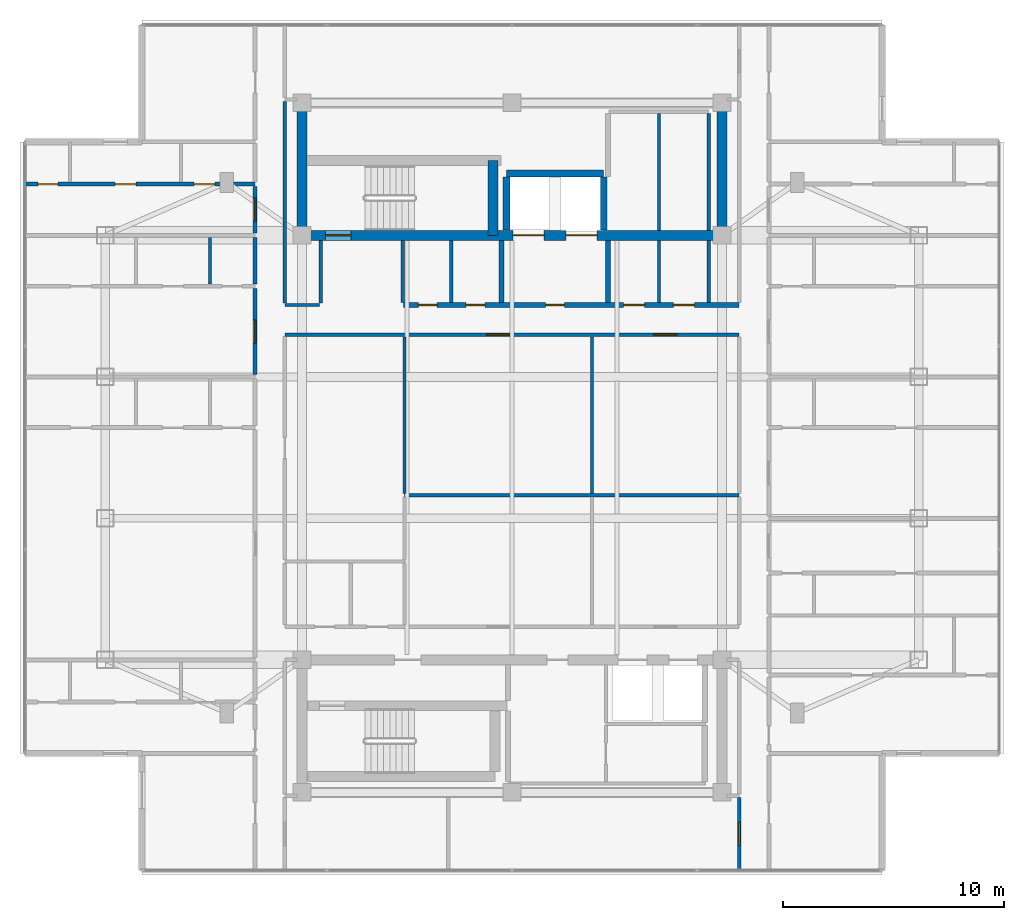
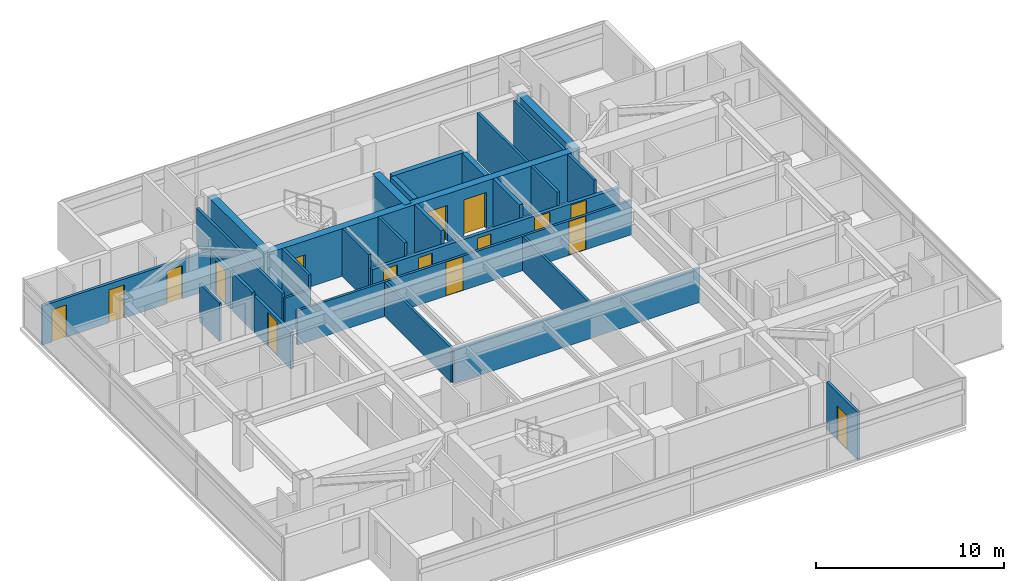
# One storey, part 9 of 14: 29 walls, 16 doors, 16 openings.
"""IFC4 building model written with IfcOpenShell, lengths in metres."""

from ifc_helpers import new_model, si_unit, direction, frame, frame_2d, origin, place, context, subcontext, project, spatial, rectangle, extrude, material, layer, layer_set, type_object, element, fill, save


model = new_model("IFC4")

# Units and contexts
model_context = context("Model", 3, precision=1e-05, world=origin(), true_north=direction((0.0, 1.0)))
body_context = subcontext(model_context, "Body", "Model", "MODEL_VIEW")
ifc_project = project(units=[si_unit("LENGTHUNIT", "METRE"), si_unit("AREAUNIT", "SQUARE_METRE"), si_unit("VOLUMEUNIT", "CUBIC_METRE"), si_unit("PLANEANGLEUNIT", "RADIAN"), si_unit("MASSUNIT", "GRAM", prefix="KILO")], contexts=[model_context])

# Site, building, storey
site_placement = place(None, origin())
site = spatial("IfcSite", under=ifc_project, at=site_placement, CompositionType="ELEMENT")
building_placement = place(site_placement, origin())
building = spatial("IfcBuilding", under=site, at=building_placement, Name="Mirazonda Arch Towers", CompositionType="ELEMENT")
storey_placement = place(building_placement, frame((0.0, 0.0, 242.5)))
storey = spatial("IfcBuildingStorey", under=building, at=storey_placement, Name="L69", CompositionType="ELEMENT", Elevation=242.5)

# Walls
ifc_material_1 = material(Name="Concrete C50/60", Category="concrete")
ifc_layer_1 = layer(ifc_material_1, 0.449951171875, Name="WALL-CORE-450")
ifc_layer_set_1 = layer_set([ifc_layer_1], Name="Concrete C50/60")
wall_type_1 = type_object("IfcWallType", Name="WALL-CORE-450", PredefinedType="SHEAR", material=ifc_layer_set_1)
for number, where, z_axis, x_axis, name in (
    (1, (11.0, 37.60009765625, 0.0), (0.0, 0.0, 1.0), (0.0, 1.0, 0.0), "L69 T1N-W Core Shear Wall"),
    (2, (30.0, 37.60009765625, 0.0), (0.0, 0.0, 1.0), (0.0, 1.0, 0.0), "L69 T1N-E Core Shear Wall"),
):
    element("IfcWall", number, at=place(storey_placement, frame(where, z_axis=z_axis, x_axis=x_axis)), inside=storey, type_object=wall_type_1, Name=name, PredefinedType="SHEAR", context=body_context, shape_type="SweptSolid", body=[
        extrude(rectangle(XDim=6.0, YDim=0.449951171875, at=frame_2d((3.0, 0.0))), origin(), (0.0, 0.0, 1.0), 3.10009765625),
    ])

# Wall, openings, doors
wall_1_placement = place(storey_placement, frame((11.0, 37.60009765625, 0.0), z_axis=(0.0, 0.0, 1.0), x_axis=(1.0, 0.0, 0.0)))
wall_1 = element("IfcWall", 3, at=wall_1_placement, inside=storey, type_object=wall_type_1, Name="L69 T1N-S Core Shear Wall", PredefinedType="SHEAR", context=body_context, shape_type="SweptSolid", body=[
    extrude(rectangle(XDim=19.0, YDim=0.449951171875, at=frame_2d((9.5, 0.0))), origin(), (0.0, 0.0, 1.0), 3.10009765625),
])
opening_1_placement = place(wall_1_placement, frame((1.06005859375, 0.0, 0.0)))
opening_1 = element("IfcOpeningElement", 4, at=opening_1_placement, cuts=wall_1, Name="Opening DR-135", PredefinedType="OPENING", context=body_context, shape_type="SweptSolid", body=[
    extrude(rectangle(XDim=1.14990234375, YDim=2.199951171875, at=frame_2d((0.574951171875, 1.10009765625))), frame((0.0, 0.23486328125, 0.0), z_axis=(0.0, -1.0, 0.0), x_axis=(1.0, 0.0, 0.0)), (0.0, 0.0, 1.0), 0.469970703125),
])
opening_2_placement = place(wall_1_placement, frame((9.550048828125, 0.0, 0.0)))
opening_2 = element("IfcOpeningElement", 5, at=opening_2_placement, cuts=wall_1, Name="Opening LD-112", PredefinedType="OPENING", context=body_context, shape_type="SweptSolid", body=[
    extrude(rectangle(XDim=1.39990234375, YDim=2.35009765625, at=frame_2d((0.699951171875, 1.175048828125))), frame((0.0, 0.23486328125, 0.0), z_axis=(0.0, -1.0, 0.0), x_axis=(1.0, 0.0, 0.0)), (0.0, 0.0, 1.0), 0.469970703125),
])
opening_3_placement = place(wall_1_placement, frame((11.949951171875, 0.0, 0.0)))
opening_3 = element("IfcOpeningElement", 6, at=opening_3_placement, cuts=wall_1, Name="Opening LD-112", PredefinedType="OPENING", context=body_context, shape_type="SweptSolid", body=[
    extrude(rectangle(XDim=1.39990234375, YDim=2.35009765625, at=frame_2d((0.699951171875, 1.175048828125))), frame((0.0, 0.23486328125, 0.0), z_axis=(0.0, -1.0, 0.0), x_axis=(1.0, 0.0, 0.0)), (0.0, 0.0, 1.0), 0.469970703125),
])
ifc_material_2 = material(Name="Architectural Brushed Steel S355", Category="steel")
door_type_1 = type_object("IfcDoorType", Name="DOOR-LIFT-FFL-1400", OperationType="NOTDEFINED", PredefinedType="DOOR", material=ifc_material_2)
door_1_placement = place(opening_2_placement, origin())
door_1 = element("IfcDoor", 7, at=door_1_placement, inside=storey, type_object=door_type_1, Name="L69 Lift Landing Sliding Door FFL-T1", OperationType="DOUBLE_DOOR_SLIDING", OverallHeight=2.35009765625, OverallWidth=1.39990234375, PredefinedType="DOOR", context=body_context, shape_type="SweptSolid", body=[
    extrude(rectangle(XDim=1.39990234375, YDim=2.35009765625, at=frame_2d((0.699951171875, 1.175048828125))), frame((0.0, 0.02490234375, 0.0), z_axis=(0.0, -1.0, 0.0), x_axis=(1.0, 0.0, 0.0)), (0.0, 0.0, 1.0), 0.050048828125),
])
fill(opening_2, door_1)
door_2_placement = place(opening_3_placement, origin())
door_2 = element("IfcDoor", 8, at=door_2_placement, inside=storey, type_object=door_type_1, Name="L69 Lift Landing Sliding Door SVL-T1", OperationType="DOUBLE_DOOR_SLIDING", OverallHeight=2.35009765625, OverallWidth=1.39990234375, PredefinedType="DOOR", context=body_context, shape_type="SweptSolid", body=[
    extrude(rectangle(XDim=1.39990234375, YDim=2.35009765625, at=frame_2d((0.699951171875, 1.175048828125))), frame((0.0, 0.02490234375, 0.0), z_axis=(0.0, -1.0, 0.0), x_axis=(1.0, 0.0, 0.0)), (0.0, 0.0, 1.0), 0.050048828125),
])
fill(opening_3, door_2)
door_type_2 = type_object("IfcDoorType", Name="DOOR-STAIR-FD90-1150", OperationType="NOTDEFINED", PredefinedType="DOOR", material=ifc_material_2)
door_3_placement = place(opening_1_placement, origin())
door_3 = element("IfcDoor", 9, at=door_3_placement, inside=storey, type_object=door_type_2, Name="L69 Protected Exit Stair North Door", OperationType="SINGLE_SWING_LEFT", OverallHeight=2.199951171875, OverallWidth=1.14990234375, PredefinedType="DOOR", context=body_context, shape_type="SweptSolid", body=[
    extrude(rectangle(XDim=1.14990234375, YDim=2.199951171875, at=frame_2d((0.574951171875, 1.10009765625))), frame((0.0, 0.02490234375, 0.0), z_axis=(0.0, -1.0, 0.0), x_axis=(1.0, 0.0, 0.0)), (0.0, 0.0, 1.0), 0.050048828125),
])
fill(opening_1, door_3)

# Wall
wall_2_placement = place(storey_placement, frame((19.64990234375, 37.60009765625, 0.0), z_axis=(0.0, 0.0, 1.0), x_axis=(0.0, 1.0, 0.0)))
element("IfcWall", 10, at=wall_2_placement, inside=storey, type_object=wall_type_1, Name="L69 T1N-STE Core Shear Wall", PredefinedType="SHEAR", context=body_context, shape_type="SweptSolid", body=[
    extrude(rectangle(XDim=3.392822265625, YDim=0.449951171875, at=frame_2d((1.6962890625, 0.0))), origin(), (0.0, 0.0, 1.0), 3.10009765625),
])

# Wall, openings, doors
ifc_material_3 = material(Name="Concrete C40/50", Category="concrete")
ifc_layer_2 = layer(ifc_material_3, 0.219970703125, Name="WALL-FFL-220")
ifc_layer_set_2 = layer_set([ifc_layer_2], Name="Concrete C40/50")
wall_type_2 = type_object("IfcWallType", Name="WALL-FFL-220", PredefinedType="SOLIDWALL", material=ifc_layer_set_2)
wall_3_placement = place(storey_placement, frame((15.590087890625, 34.449951171875, 0.0), z_axis=(0.0, 0.0, 1.0), x_axis=(1.0, 0.0, 0.0)))
wall_3 = element("IfcWall", 11, at=wall_3_placement, inside=storey, type_object=wall_type_2, Name="L69 Interior Partition 026", PredefinedType="SOLIDWALL", context=body_context, shape_type="SweptSolid", body=[
    extrude(rectangle(XDim=15.18994140625, YDim=0.219970703125, at=frame_2d((7.594970703125, 0.0))), origin(), (0.0, 0.0, 1.0), 2.236083984375),
])
opening_4_placement = place(wall_3_placement, frame((6.43505859375, 0.0, 0.0)))
opening_4 = element("IfcOpeningElement", 12, at=opening_4_placement, cuts=wall_3, Name="Opening DR-128", PredefinedType="OPENING", context=body_context, shape_type="SweptSolid", body=[
    extrude(rectangle(XDim=0.85009765625, YDim=2.010009765625, at=frame_2d((0.425048828125, 1.0048828125))), frame((0.0, 0.119873046875, 0.0), z_axis=(0.0, -1.0, 0.0), x_axis=(1.0, 0.0, 0.0)), (0.0, 0.0, 1.0), 0.239990234375),
])
opening_5_placement = place(wall_3_placement, frame((9.9599609375, 0.0, 0.0)))
opening_5 = element("IfcOpeningElement", 13, at=opening_5_placement, cuts=wall_3, Name="Opening DR-104", PredefinedType="OPENING", context=body_context, shape_type="SweptSolid", body=[
    extrude(rectangle(XDim=0.949951171875, YDim=2.14990234375, at=frame_2d((0.47509765625, 1.074951171875))), frame((0.0, 0.119873046875, 0.0), z_axis=(0.0, -1.0, 0.0), x_axis=(1.0, 0.0, 0.0)), (0.0, 0.0, 1.0), 0.239990234375),
])
opening_6_placement = place(wall_3_placement, frame((12.2099609375, 0.0, 0.0)))
opening_6 = element("IfcOpeningElement", 14, at=opening_6_placement, cuts=wall_3, Name="Opening DR-104", PredefinedType="OPENING", context=body_context, shape_type="SweptSolid", body=[
    extrude(rectangle(XDim=0.949951171875, YDim=2.14990234375, at=frame_2d((0.47509765625, 1.074951171875))), frame((0.0, 0.119873046875, 0.0), z_axis=(0.0, -1.0, 0.0), x_axis=(1.0, 0.0, 0.0)), (0.0, 0.0, 1.0), 0.239990234375),
])
opening_7_placement = place(wall_3_placement, frame((0.675048828125, 0.0, 0.0)))
opening_7 = element("IfcOpeningElement", 15, at=opening_7_placement, cuts=wall_3, Name="Opening DR-128", PredefinedType="OPENING", context=body_context, shape_type="SweptSolid", body=[
    extrude(rectangle(XDim=0.85009765625, YDim=2.010009765625, at=frame_2d((0.425048828125, 1.0048828125))), frame((0.0, 0.119873046875, 0.0), z_axis=(0.0, -1.0, 0.0), x_axis=(1.0, 0.0, 0.0)), (0.0, 0.0, 1.0), 0.239990234375),
])
opening_8_placement = place(wall_3_placement, frame((2.8349609375, 0.0, 0.0)))
opening_8 = element("IfcOpeningElement", 16, at=opening_8_placement, cuts=wall_3, Name="Opening DR-128", PredefinedType="OPENING", context=body_context, shape_type="SweptSolid", body=[
    extrude(rectangle(XDim=0.85009765625, YDim=2.010009765625, at=frame_2d((0.425048828125, 1.0048828125))), frame((0.0, 0.119873046875, 0.0), z_axis=(0.0, -1.0, 0.0), x_axis=(1.0, 0.0, 0.0)), (0.0, 0.0, 1.0), 0.239990234375),
])
door_type_3 = type_object("IfcDoorType", Name="DOOR-RISER-FD60-850", OperationType="NOTDEFINED", PredefinedType="DOOR", material=ifc_material_2)
door_4_placement = place(opening_4_placement, origin())
door_4 = element("IfcDoor", 17, at=door_4_placement, inside=storey, type_object=door_type_3, Name="L69 Firefighting Lift Lobby Door", OperationType="SINGLE_SWING_RIGHT", OverallHeight=2.010009765625, OverallWidth=0.85009765625, PredefinedType="DOOR", context=body_context, shape_type="SweptSolid", body=[
    extrude(rectangle(XDim=0.85009765625, YDim=2.010009765625, at=frame_2d((0.425048828125, 1.0048828125))), frame((0.0, 0.02490234375, 0.0), z_axis=(0.0, -1.0, 0.0), x_axis=(1.0, 0.0, 0.0)), (0.0, 0.0, 1.0), 0.050048828125),
])
fill(opening_4, door_4)
door_5_placement = place(opening_7_placement, origin())
door_5 = element("IfcDoor", 18, at=door_5_placement, inside=storey, type_object=door_type_3, Name="L69 Electrical Room Door", OperationType="SINGLE_SWING_LEFT", OverallHeight=2.010009765625, OverallWidth=0.85009765625, PredefinedType="DOOR", context=body_context, shape_type="SweptSolid", body=[
    extrude(rectangle(XDim=0.85009765625, YDim=2.010009765625, at=frame_2d((0.425048828125, 1.0048828125))), frame((0.0, 0.02490234375, 0.0), z_axis=(0.0, -1.0, 0.0), x_axis=(1.0, 0.0, 0.0)), (0.0, 0.0, 1.0), 0.050048828125),
])
fill(opening_7, door_5)
door_6_placement = place(opening_8_placement, origin())
door_6 = element("IfcDoor", 19, at=door_6_placement, inside=storey, type_object=door_type_3, Name="L69 Cleaners & Housekeeping Store Door", OperationType="SINGLE_SWING_RIGHT", OverallHeight=2.010009765625, OverallWidth=0.85009765625, PredefinedType="DOOR", context=body_context, shape_type="SweptSolid", body=[
    extrude(rectangle(XDim=0.85009765625, YDim=2.010009765625, at=frame_2d((0.425048828125, 1.0048828125))), frame((0.0, 0.02490234375, 0.0), z_axis=(0.0, -1.0, 0.0), x_axis=(1.0, 0.0, 0.0)), (0.0, 0.0, 1.0), 0.050048828125),
])
fill(opening_8, door_6)
door_type_4 = type_object("IfcDoorType", Name="DOOR-ROOM-950", OperationType="NOTDEFINED", PredefinedType="DOOR", material=ifc_material_2)
door_7_placement = place(opening_5_placement, origin())
door_7 = element("IfcDoor", 20, at=door_7_placement, inside=storey, type_object=door_type_4, Name="L69 Residents Private Art Gallery Door", OperationType="SINGLE_SWING_LEFT", OverallHeight=2.14990234375, OverallWidth=0.949951171875, PredefinedType="DOOR", context=body_context, shape_type="SweptSolid", body=[
    extrude(rectangle(XDim=0.949951171875, YDim=2.14990234375, at=frame_2d((0.47509765625, 1.074951171875))), frame((0.0, 0.02490234375, 0.0), z_axis=(0.0, -1.0, 0.0), x_axis=(1.0, 0.0, 0.0)), (0.0, 0.0, 1.0), 0.050048828125),
])
fill(opening_5, door_7)
door_8_placement = place(opening_6_placement, origin())
door_8 = element("IfcDoor", 21, at=door_8_placement, inside=storey, type_object=door_type_4, Name="L69 Private Quiet Study Door", OperationType="SINGLE_SWING_RIGHT", OverallHeight=2.14990234375, OverallWidth=0.949951171875, PredefinedType="DOOR", context=body_context, shape_type="SweptSolid", body=[
    extrude(rectangle(XDim=0.949951171875, YDim=2.14990234375, at=frame_2d((0.47509765625, 1.074951171875))), frame((0.0, 0.02490234375, 0.0), z_axis=(0.0, -1.0, 0.0), x_axis=(1.0, 0.0, 0.0)), (0.0, 0.0, 1.0), 0.050048828125),
])
fill(opening_6, door_8)

# Walls
for number, where, z_axis, x_axis, name in (
    (22, (20.02490234375, 34.570068359375, 0.0), (0.0, 0.0, 1.0), (0.0, 1.0, 0.0), "L69 Interior Partition 072"),
    (23, (24.85009765625, 34.570068359375, 0.0), (0.0, 0.0, 1.0), (0.0, 1.0, 0.0), "L69 Interior Partition 081"),
):
    element("IfcWall", number, at=place(storey_placement, frame(where, z_axis=z_axis, x_axis=x_axis)), inside=storey, type_object=wall_type_2, Name=name, PredefinedType="SOLIDWALL", context=body_context, shape_type="SweptSolid", body=[
        extrude(rectangle(XDim=2.809814453125, YDim=0.219970703125, at=frame_2d((1.40478515625, 0.0))), origin(), (0.0, 0.0, 1.0), 3.10009765625),
    ])
ifc_material_4 = material(Name="Fire-Rated Gypsum Stud Partition")
ifc_layer_3 = layer(ifc_material_4, 0.14990234375, Name="WALL-PART-CORR-150")
ifc_layer_set_3 = layer_set([ifc_layer_3], Name="Fire-Rated Gypsum Stud Partition")
wall_type_3 = type_object("IfcWallType", Name="WALL-PART-CORR-150", PredefinedType="PARTITIONING", material=ifc_layer_set_3)
wall_4_placement = place(storey_placement, frame((15.639892578125, 25.840087890625, 0.0), z_axis=(0.0, 0.0, 1.0), x_axis=(1.0, 0.0, 0.0)))
element("IfcWall", 24, at=wall_4_placement, inside=storey, type_object=wall_type_3, Name="L69 Interior Partition 019", PredefinedType="PARTITIONING", context=body_context, shape_type="SweptSolid", body=[
    extrude(rectangle(XDim=15.14013671875, YDim=0.14990234375, at=frame_2d((7.570068359375, 0.0))), origin(), (0.0, 0.0, 1.0), 2.236083984375),
])

# Wall, openings, doors
wall_5_placement = place(storey_placement, frame((10.219970703125, 33.10009765625, 0.0), z_axis=(0.0, 0.0, 1.0), x_axis=(1.0, 0.0, 0.0)))
wall_5 = element("IfcWall", 25, at=wall_5_placement, inside=storey, type_object=wall_type_3, Name="L69 Interior Partition 024", PredefinedType="PARTITIONING", context=body_context, shape_type="SweptSolid", body=[
    extrude(rectangle(XDim=20.56005859375, YDim=0.14990234375, at=frame_2d((10.280029296875, 0.0))), origin(), (0.0, 0.0, 1.0), 2.236083984375),
])
opening_9_placement = place(wall_5_placement, frame((9.134033203125, 0.0, 0.0)))
opening_9 = element("IfcOpeningElement", 26, at=opening_9_placement, cuts=wall_5, Name="Opening DR-121", PredefinedType="OPENING", context=body_context, shape_type="SweptSolid", body=[
    extrude(rectangle(XDim=1.050048828125, YDim=2.199951171875, at=frame_2d((0.52490234375, 1.10009765625))), frame((0.0, 0.0849609375, 0.0), z_axis=(0.0, -1.0, 0.0), x_axis=(1.0, 0.0, 0.0)), (0.0, 0.0, 1.0), 0.169921875),
])
opening_10_placement = place(wall_5_placement, frame((16.68408203125, 0.0, 0.0)))
opening_10 = element("IfcOpeningElement", 27, at=opening_10_placement, cuts=wall_5, Name="Opening DR-121", PredefinedType="OPENING", context=body_context, shape_type="SweptSolid", body=[
    extrude(rectangle(XDim=1.050048828125, YDim=2.199951171875, at=frame_2d((0.52490234375, 1.10009765625))), frame((0.0, 0.0849609375, 0.0), z_axis=(0.0, -1.0, 0.0), x_axis=(1.0, 0.0, 0.0)), (0.0, 0.0, 1.0), 0.169921875),
])
door_type_5 = type_object("IfcDoorType", Name="DOOR-SUITE-FD60-1050", OperationType="NOTDEFINED", PredefinedType="DOOR", material=ifc_material_2)
door_9_placement = place(opening_9_placement, origin())
door_9 = element("IfcDoor", 28, at=door_9_placement, inside=storey, type_object=door_type_5, Name="L69 Private Dining Room Door", OperationType="SINGLE_SWING_LEFT", OverallHeight=2.199951171875, OverallWidth=1.050048828125, PredefinedType="DOOR", context=body_context, shape_type="SweptSolid", body=[
    extrude(rectangle(XDim=1.050048828125, YDim=2.199951171875, at=frame_2d((0.52490234375, 1.10009765625))), frame((0.0, 0.02490234375, 0.0), z_axis=(0.0, -1.0, 0.0), x_axis=(1.0, 0.0, 0.0)), (0.0, 0.0, 1.0), 0.050048828125),
])
fill(opening_9, door_9)
door_10_placement = place(opening_10_placement, origin())
door_10 = element("IfcDoor", 29, at=door_10_placement, inside=storey, type_object=door_type_5, Name="L69 Collectors Gallery Study Door", OperationType="SINGLE_SWING_RIGHT", OverallHeight=2.199951171875, OverallWidth=1.050048828125, PredefinedType="DOOR", context=body_context, shape_type="SweptSolid", body=[
    extrude(rectangle(XDim=1.050048828125, YDim=2.199951171875, at=frame_2d((0.52490234375, 1.10009765625))), frame((0.0, 0.02490234375, 0.0), z_axis=(0.0, -1.0, 0.0), x_axis=(1.0, 0.0, 0.0)), (0.0, 0.0, 1.0), 0.050048828125),
])
fill(opening_10, door_10)

# Walls
wall_6_placement = place(storey_placement, frame((10.219970703125, 34.449951171875, 0.0), z_axis=(0.0, 0.0, 1.0), x_axis=(1.0, 0.0, 0.0)))
element("IfcWall", 30, at=wall_6_placement, inside=storey, type_object=wall_type_3, Name="L69 Interior Partition 025", PredefinedType="PARTITIONING", context=body_context, shape_type="SweptSolid", body=[
    extrude(rectangle(XDim=1.580078125, YDim=0.14990234375, at=frame_2d((0.7900390625, 0.0))), origin(), (0.0, 0.0, 1.0), 2.236083984375),
])
wall_7_placement = place(storey_placement, frame((10.219970703125, 34.534912109375, 0.0), z_axis=(0.0, 0.0, 1.0), x_axis=(0.0, 1.0, 0.0)))
element("IfcWall", 31, at=wall_7_placement, inside=storey, type_object=wall_type_3, Name="L69 Interior Partition 061", PredefinedType="PARTITIONING", context=body_context, shape_type="SweptSolid", body=[
    extrude(rectangle(XDim=9.130126953125, YDim=0.14990234375, at=frame_2d((4.56494140625, 0.0))), origin(), (0.0, 0.0, 1.0), 2.491943359375),
])
wall_8_placement = place(storey_placement, frame((11.85009765625, 34.534912109375, 0.0), z_axis=(0.0, 0.0, 1.0), x_axis=(0.0, 1.0, 0.0)))
element("IfcWall", 32, at=wall_8_placement, inside=storey, type_object=wall_type_3, Name="L69 Interior Partition 063", PredefinedType="PARTITIONING", context=body_context, shape_type="SweptSolid", body=[
    extrude(rectangle(XDim=2.844970703125, YDim=0.14990234375, at=frame_2d((1.42236328125, 0.0))), origin(), (0.0, 0.0, 1.0), 3.10009765625),
])
wall_9_placement = place(storey_placement, frame((15.639892578125, 25.925048828125, 0.0), z_axis=(0.0, 0.0, 1.0), x_axis=(0.0, 1.0, 0.0)))
element("IfcWall", 33, at=wall_9_placement, inside=storey, type_object=wall_type_3, Name="L69 Interior Partition 067", PredefinedType="PARTITIONING", context=body_context, shape_type="SweptSolid", body=[
    extrude(rectangle(XDim=7.08984375, YDim=0.14990234375, at=frame_2d((3.544921875, 0.0))), origin(), (0.0, 0.0, 1.0), 2.236083984375),
])
for number, where, z_axis, x_axis, name in (
    (34, (15.550048828125, 34.570068359375, 0.0), (0.0, 0.0, 1.0), (0.0, 1.0, 0.0), "L69 Interior Partition 068"),
    (35, (17.75, 34.570068359375, 0.0), (0.0, 0.0, 1.0), (0.0, 1.0, 0.0), "L69 Interior Partition 070"),
):
    element("IfcWall", number, at=place(storey_placement, frame(where, z_axis=z_axis, x_axis=x_axis)), inside=storey, type_object=wall_type_3, Name=name, PredefinedType="PARTITIONING", context=body_context, shape_type="SweptSolid", body=[
        extrude(rectangle(XDim=2.809814453125, YDim=0.14990234375, at=frame_2d((1.40478515625, 0.0))), origin(), (0.0, 0.0, 1.0), 3.10009765625),
    ])
wall_10_placement = place(storey_placement, frame((24.117919921875, 25.925048828125, 0.0), z_axis=(0.0, 0.0, 1.0), x_axis=(0.0, 1.0, 0.0)))
element("IfcWall", 36, at=wall_10_placement, inside=storey, type_object=wall_type_3, Name="L69 Interior Partition 077", PredefinedType="PARTITIONING", context=body_context, shape_type="SweptSolid", body=[
    extrude(rectangle(XDim=7.08984375, YDim=0.14990234375, at=frame_2d((3.544921875, 0.0))), origin(), (0.0, 0.0, 1.0), 2.236083984375),
])
wall_11_placement = place(storey_placement, frame((27.14990234375, 34.570068359375, 0.0), z_axis=(0.0, 0.0, 1.0), x_axis=(0.0, 1.0, 0.0)))
element("IfcWall", 37, at=wall_11_placement, inside=storey, type_object=wall_type_3, Name="L69 Interior Partition 083", PredefinedType="PARTITIONING", context=body_context, shape_type="SweptSolid", body=[
    extrude(rectangle(XDim=2.809814453125, YDim=0.14990234375, at=frame_2d((1.40478515625, 0.0))), origin(), (0.0, 0.0, 1.0), 3.10009765625),
])
wall_12_placement = place(storey_placement, frame((27.14990234375, 37.820068359375, 0.0), z_axis=(0.0, 0.0, 1.0), x_axis=(0.0, 1.0, 0.0)))
element("IfcWall", 38, at=wall_12_placement, inside=storey, type_object=wall_type_3, Name="L69 Interior Partition 084", PredefinedType="PARTITIONING", context=body_context, shape_type="SweptSolid", body=[
    extrude(rectangle(XDim=5.294921875, YDim=0.14990234375, at=frame_2d((2.6474609375, 0.0))), origin(), (0.0, 0.0, 1.0), 3.10009765625),
])
wall_13_placement = place(storey_placement, frame((29.39990234375, 34.570068359375, 0.0), z_axis=(0.0, 0.0, 1.0), x_axis=(0.0, 1.0, 0.0)))
element("IfcWall", 39, at=wall_13_placement, inside=storey, type_object=wall_type_3, Name="L69 Interior Partition 087", PredefinedType="PARTITIONING", context=body_context, shape_type="SweptSolid", body=[
    extrude(rectangle(XDim=2.809814453125, YDim=0.14990234375, at=frame_2d((1.40478515625, 0.0))), origin(), (0.0, 0.0, 1.0), 3.10009765625),
])
wall_14_placement = place(storey_placement, frame((29.39990234375, 37.820068359375, 0.0), z_axis=(0.0, 0.0, 1.0), x_axis=(0.0, 1.0, 0.0)))
element("IfcWall", 40, at=wall_14_placement, inside=storey, type_object=wall_type_3, Name="L69 Interior Partition 088", PredefinedType="PARTITIONING", context=body_context, shape_type="SweptSolid", body=[
    extrude(rectangle(XDim=5.294921875, YDim=0.14990234375, at=frame_2d((2.6474609375, 0.0))), origin(), (0.0, 0.0, 1.0), 3.10009765625),
])

# Wall, opening, door
wall_15_placement = place(storey_placement, frame((30.780029296875, 8.8740234375, 0.0), z_axis=(0.0, 0.0, 1.0), x_axis=(0.0, 1.0, 0.0)))
wall_15 = element("IfcWall", 41, at=wall_15_placement, inside=storey, type_object=wall_type_3, Name="L69 Interior Partition 089", PredefinedType="PARTITIONING", context=body_context, shape_type="SweptSolid", body=[
    extrude(rectangle(XDim=3.291015625, YDim=0.14990234375, at=frame_2d((1.6455078125, 0.0))), origin(), (0.0, 0.0, 1.0), 3.10009765625),
])
opening_11_placement = place(wall_15_placement, frame((1.12060546875, 0.0, 0.0)))
opening_11 = element("IfcOpeningElement", 42, at=opening_11_placement, cuts=wall_15, Name="Opening DR-121", PredefinedType="OPENING", context=body_context, shape_type="SweptSolid", body=[
    extrude(rectangle(XDim=1.050048828125, YDim=2.199951171875, at=frame_2d((0.52490234375, 1.10009765625))), frame((0.0, 0.0849609375, 0.0), z_axis=(0.0, -1.0, 0.0), x_axis=(1.0, 0.0, 0.0)), (0.0, 0.0, 1.0), 0.169921875),
])
door_11_placement = place(opening_11_placement, origin())
door_11 = element("IfcDoor", 43, at=door_11_placement, inside=storey, type_object=door_type_5, Name="L69 South Panoramic Study Grand Door", OperationType="SINGLE_SWING_RIGHT", OverallHeight=2.199951171875, OverallWidth=1.050048828125, PredefinedType="DOOR", context=body_context, shape_type="SweptSolid", body=[
    extrude(rectangle(XDim=1.050048828125, YDim=2.199951171875, at=frame_2d((0.52490234375, 1.10009765625))), frame((0.0, 0.02490234375, 0.0), z_axis=(0.0, -1.0, 0.0), x_axis=(1.0, 0.0, 0.0)), (0.0, 0.0, 1.0), 0.050048828125),
])
fill(opening_11, door_11)

# Wall, openings, doors
ifc_material_5 = material(Name="Fire-Rated Gypsum Twin-Stud Assembly")
ifc_layer_4 = layer(ifc_material_5, 0.179931640625, Name="WALL-PART-DEMISE-180")
ifc_layer_set_4 = layer_set([ifc_layer_4], Name="Fire-Rated Gypsum Twin-Stud Assembly")
wall_type_4 = type_object("IfcWallType", Name="WALL-PART-DEMISE-180", PredefinedType="PARTITIONING", material=ifc_layer_set_4)
wall_16_placement = place(storey_placement, frame((-1.5400390625, 39.916015625, 0.0), z_axis=(0.0, 0.0, 1.0), x_axis=(1.0, 0.0, 0.0)))
wall_16 = element("IfcWall", 44, at=wall_16_placement, inside=storey, type_object=wall_type_4, Name="L69 Interior Partition 031", PredefinedType="PARTITIONING", context=body_context, shape_type="SweptSolid", body=[
    extrude(rectangle(XDim=10.419921875, YDim=0.179931640625, at=frame_2d((5.2099609375, 0.0))), origin(), (0.0, 0.0, 1.0), 2.54296875),
])
opening_12_placement = place(wall_16_placement, frame((4.0791015625, 0.0, 0.0)))
opening_12 = element("IfcOpeningElement", 45, at=opening_12_placement, cuts=wall_16, Name="Opening DR-104", PredefinedType="OPENING", context=body_context, shape_type="SweptSolid", body=[
    extrude(rectangle(XDim=0.949951171875, YDim=2.14990234375, at=frame_2d((0.47509765625, 1.074951171875))), frame((0.0, 0.099853515625, 0.0), z_axis=(0.0, -1.0, 0.0), x_axis=(1.0, 0.0, 0.0)), (0.0, 0.0, 1.0), 0.199951171875),
])
opening_13_placement = place(wall_16_placement, frame((7.64892578125, 0.0, 0.0)))
opening_13 = element("IfcOpeningElement", 46, at=opening_13_placement, cuts=wall_16, Name="Opening DR-104", PredefinedType="OPENING", context=body_context, shape_type="SweptSolid", body=[
    extrude(rectangle(XDim=0.949951171875, YDim=2.14990234375, at=frame_2d((0.47509765625, 1.074951171875))), frame((0.0, 0.099853515625, 0.0), z_axis=(0.0, -1.0, 0.0), x_axis=(1.0, 0.0, 0.0)), (0.0, 0.0, 1.0), 0.199951171875),
])
opening_14_placement = place(wall_16_placement, frame((0.590087890625, 0.0, 0.0)))
opening_14 = element("IfcOpeningElement", 47, at=opening_14_placement, cuts=wall_16, Name="Opening DR-120", PredefinedType="OPENING", context=body_context, shape_type="SweptSolid", body=[
    extrude(rectangle(XDim=0.89990234375, YDim=2.10009765625, at=frame_2d((0.449951171875, 1.050048828125))), frame((0.0, 0.099853515625, 0.0), z_axis=(0.0, -1.0, 0.0), x_axis=(1.0, 0.0, 0.0)), (0.0, 0.0, 1.0), 0.199951171875),
])
door_12_placement = place(opening_12_placement, origin())
door_12 = element("IfcDoor", 48, at=door_12_placement, inside=storey, type_object=door_type_4, Name="L69 Residence 4 Principal Bedroom Door", OperationType="SINGLE_SWING_LEFT", OverallHeight=2.14990234375, OverallWidth=0.949951171875, PredefinedType="DOOR", context=body_context, shape_type="SweptSolid", body=[
    extrude(rectangle(XDim=0.949951171875, YDim=2.14990234375, at=frame_2d((0.47509765625, 1.074951171875))), frame((0.0, 0.02490234375, 0.0), z_axis=(0.0, -1.0, 0.0), x_axis=(1.0, 0.0, 0.0)), (0.0, 0.0, 1.0), 0.050048828125),
])
fill(opening_12, door_12)
door_13_placement = place(opening_13_placement, origin())
door_13 = element("IfcDoor", 49, at=door_13_placement, inside=storey, type_object=door_type_4, Name="L69 Residence 4 Fitted Kitchen Door", OperationType="SINGLE_SWING_RIGHT", OverallHeight=2.14990234375, OverallWidth=0.949951171875, PredefinedType="DOOR", context=body_context, shape_type="SweptSolid", body=[
    extrude(rectangle(XDim=0.949951171875, YDim=2.14990234375, at=frame_2d((0.47509765625, 1.074951171875))), frame((0.0, 0.02490234375, 0.0), z_axis=(0.0, -1.0, 0.0), x_axis=(1.0, 0.0, 0.0)), (0.0, 0.0, 1.0), 0.050048828125),
])
fill(opening_13, door_13)
door_type_6 = type_object("IfcDoorType", Name="DOOR-WC-900", OperationType="NOTDEFINED", PredefinedType="DOOR", material=ifc_material_2)
door_14_placement = place(opening_14_placement, origin())
door_14 = element("IfcDoor", 50, at=door_14_placement, inside=storey, type_object=door_type_6, Name="L69 Residence 4 Bathroom Door", OperationType="SINGLE_SWING_LEFT", OverallHeight=2.10009765625, OverallWidth=0.89990234375, PredefinedType="DOOR", context=body_context, shape_type="SweptSolid", body=[
    extrude(rectangle(XDim=0.89990234375, YDim=2.10009765625, at=frame_2d((0.449951171875, 1.050048828125))), frame((0.0, 0.02490234375, 0.0), z_axis=(0.0, -1.0, 0.0), x_axis=(1.0, 0.0, 0.0)), (0.0, 0.0, 1.0), 0.050048828125),
])
fill(opening_14, door_14)

# Wall, opening, door
wall_17_placement = place(storey_placement, frame((8.8798828125, 31.300048828125, 0.0), z_axis=(0.0, 0.0, 1.0), x_axis=(0.0, 1.0, 0.0)))
wall_17 = element("IfcWall", 51, at=wall_17_placement, inside=storey, type_object=wall_type_4, Name="L69 Interior Partition 052", PredefinedType="PARTITIONING", context=body_context, shape_type="SweptSolid", body=[
    extrude(rectangle(XDim=3.89990234375, YDim=0.179931640625, at=frame_2d((1.949951171875, 0.0))), origin(), (0.0, 0.0, 1.0), 2.39599609375),
])
opening_15_placement = place(wall_17_placement, frame((1.425048828125, 0.0, 0.0)))
opening_15 = element("IfcOpeningElement", 52, at=opening_15_placement, cuts=wall_17, Name="Opening DR-121", PredefinedType="OPENING", context=body_context, shape_type="SweptSolid", body=[
    extrude(rectangle(XDim=1.050048828125, YDim=2.199951171875, at=frame_2d((0.52490234375, 1.10009765625))), frame((0.0, 0.099853515625, 0.0), z_axis=(0.0, -1.0, 0.0), x_axis=(1.0, 0.0, 0.0)), (0.0, 0.0, 1.0), 0.199951171875),
])
door_15_placement = place(opening_15_placement, origin())
door_15 = element("IfcDoor", 53, at=door_15_placement, inside=storey, type_object=door_type_5, Name="L69 Residence 3 Living & Dining Salon Door", OperationType="SINGLE_SWING_RIGHT", OverallHeight=2.199951171875, OverallWidth=1.050048828125, PredefinedType="DOOR", context=body_context, shape_type="SweptSolid", body=[
    extrude(rectangle(XDim=1.050048828125, YDim=2.199951171875, at=frame_2d((0.52490234375, 1.10009765625))), frame((0.0, 0.02490234375, 0.0), z_axis=(0.0, -1.0, 0.0), x_axis=(1.0, 0.0, 0.0)), (0.0, 0.0, 1.0), 0.050048828125),
])
fill(opening_15, door_15)

# Wall
wall_18_placement = place(storey_placement, frame((8.8798828125, 35.39990234375, 0.0), z_axis=(0.0, 0.0, 1.0), x_axis=(0.0, 1.0, 0.0)))
element("IfcWall", 54, at=wall_18_placement, inside=storey, type_object=wall_type_4, Name="L69 Interior Partition 053", PredefinedType="PARTITIONING", context=body_context, shape_type="SweptSolid", body=[
    extrude(rectangle(XDim=2.10009765625, YDim=0.179931640625, at=frame_2d((1.050048828125, 0.0))), origin(), (0.0, 0.0, 1.0), 2.491943359375),
])

# Wall, opening, door
wall_19_placement = place(storey_placement, frame((8.8798828125, 37.699951171875, 0.0), z_axis=(0.0, 0.0, 1.0), x_axis=(0.0, 1.0, 0.0)))
wall_19 = element("IfcWall", 55, at=wall_19_placement, inside=storey, type_object=wall_type_4, Name="L69 Interior Partition 054", PredefinedType="PARTITIONING", context=body_context, shape_type="SweptSolid", body=[
    extrude(rectangle(XDim=2.115966796875, YDim=0.179931640625, at=frame_2d((1.05810546875, 0.0))), origin(), (0.0, 0.0, 1.0), 2.491943359375),
])
opening_16_placement = place(wall_19_placement, frame((0.532958984375, 0.0, 0.0)))
opening_16 = element("IfcOpeningElement", 56, at=opening_16_placement, cuts=wall_19, Name="Opening DR-121", PredefinedType="OPENING", context=body_context, shape_type="SweptSolid", body=[
    extrude(rectangle(XDim=1.050048828125, YDim=2.199951171875, at=frame_2d((0.52490234375, 1.10009765625))), frame((0.0, 0.099853515625, 0.0), z_axis=(0.0, -1.0, 0.0), x_axis=(1.0, 0.0, 0.0)), (0.0, 0.0, 1.0), 0.199951171875),
])
door_16_placement = place(opening_16_placement, origin())
door_16 = element("IfcDoor", 57, at=door_16_placement, inside=storey, type_object=door_type_5, Name="L69 Residence 4 Living & Dining Salon Door", OperationType="SINGLE_SWING_RIGHT", OverallHeight=2.199951171875, OverallWidth=1.050048828125, PredefinedType="DOOR", context=body_context, shape_type="SweptSolid", body=[
    extrude(rectangle(XDim=1.050048828125, YDim=2.199951171875, at=frame_2d((0.52490234375, 1.10009765625))), frame((0.0, 0.02490234375, 0.0), z_axis=(0.0, -1.0, 0.0), x_axis=(1.0, 0.0, 0.0)), (0.0, 0.0, 1.0), 0.050048828125),
])
fill(opening_16, door_16)

# Walls
ifc_material_6 = material(Name="Acoustic Fire-Rated Gypsum Partition")
ifc_layer_5 = layer(ifc_material_6, 0.125, Name="WALL-PART-UNIT-125")
ifc_layer_set_5 = layer_set([ifc_layer_5], Name="Acoustic Fire-Rated Gypsum Partition")
wall_type_5 = type_object("IfcWallType", Name="WALL-PART-UNIT-125", PredefinedType="PARTITIONING", material=ifc_layer_set_5)
wall_20_placement = place(storey_placement, frame((6.840087890625, 35.39990234375, 0.0), z_axis=(0.0, 0.0, 1.0), x_axis=(0.0, 1.0, 0.0)))
element("IfcWall", 58, at=wall_20_placement, inside=storey, type_object=wall_type_5, Name="L69 Interior Partition 046", PredefinedType="PARTITIONING", context=body_context, shape_type="SweptSolid", body=[
    extrude(rectangle(XDim=2.10009765625, YDim=0.125, at=frame_2d((1.050048828125, 0.0))), origin(), (0.0, 0.0, 1.0), 2.491943359375),
])
ifc_layer_6 = layer(ifc_material_1, 0.300048828125, Name="WALL-SHAFT-300")
ifc_layer_set_6 = layer_set([ifc_layer_6], Name="Concrete C50/60")
wall_type_6 = type_object("IfcWallType", Name="WALL-SHAFT-300", PredefinedType="SOLIDWALL", material=ifc_layer_set_6)
wall_21_placement = place(storey_placement, frame((20.25, 40.39990234375, 0.0), z_axis=(0.0, 0.0, 1.0), x_axis=(1.0, 0.0, 0.0)))
element("IfcWall", 59, at=wall_21_placement, inside=storey, type_object=wall_type_6, Name="L69 Interior Partition 033", PredefinedType="SOLIDWALL", context=body_context, shape_type="SweptSolid", body=[
    extrude(rectangle(XDim=4.39990234375, YDim=0.300048828125, at=frame_2d((2.199951171875, 0.0))), origin(), (0.0, 0.0, 1.0), 3.10009765625),
])
for number, where, z_axis, x_axis, name in (
    (60, (20.25, 37.85009765625, 0.0), (0.0, 0.0, 1.0), (0.0, 1.0, 0.0), "L69 Interior Partition 075"),
    (61, (24.64990234375, 37.85009765625, 0.0), (0.0, 0.0, 1.0), (0.0, 1.0, 0.0), "L69 Interior Partition 080"),
):
    element("IfcWall", number, at=place(storey_placement, frame(where, z_axis=z_axis, x_axis=x_axis)), inside=storey, type_object=wall_type_6, Name=name, PredefinedType="SOLIDWALL", context=body_context, shape_type="SweptSolid", body=[
        extrude(rectangle(XDim=2.389892578125, YDim=0.300048828125, at=frame_2d((1.19482421875, 0.0))), origin(), (0.0, 0.0, 1.0), 3.10009765625),
    ])

save(model, "model.ifc")
